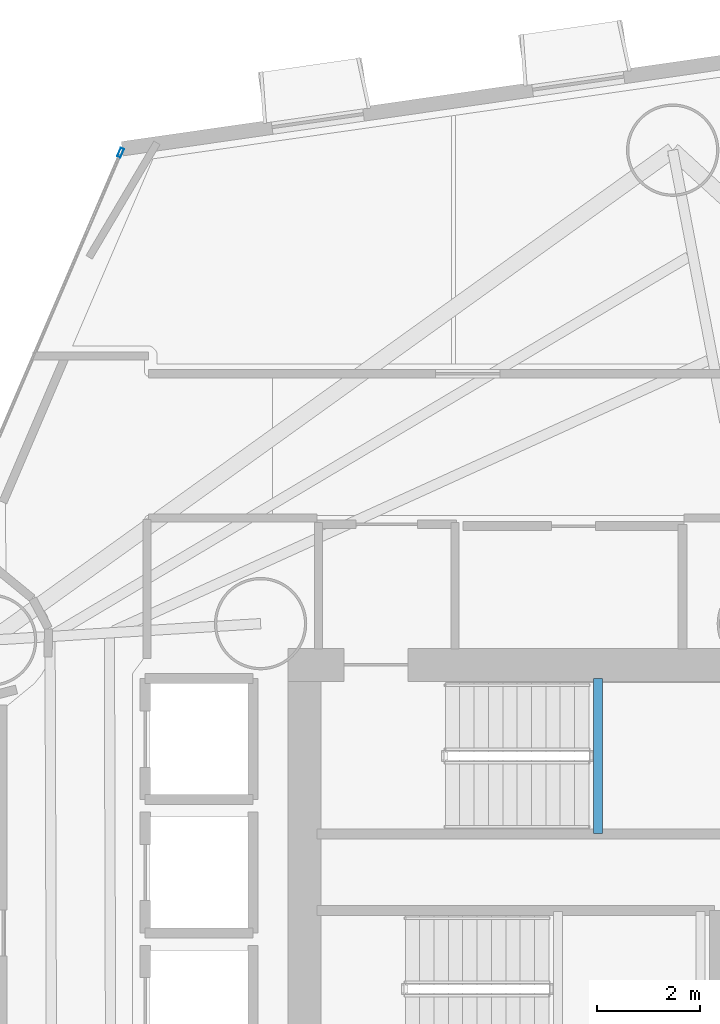
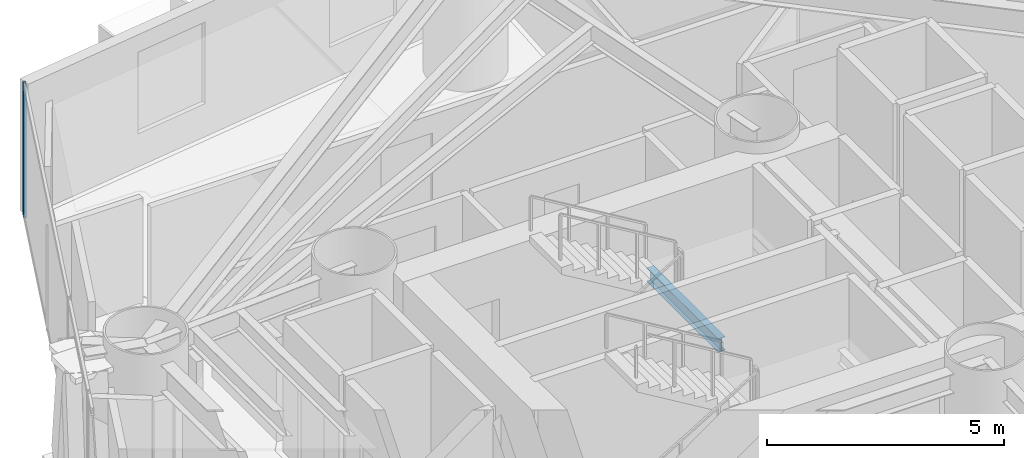
# One storey, part 9 of 22: 1 beam, 1 member, 1 element without a shape of its own.
"""IFC4 building model written with IfcOpenShell, lengths in metres."""

from ifc_helpers import new_model, si_unit, direction, frame, origin, origin_2d, place, context, subcontext, project, spatial, hollow_rectangle, i_section, extrude, material, layer, layer_set, material_profile, profile_set, type_object, element, aggregate, save


model = new_model("IFC4")

# Units and contexts
model_context = context("Model", 3, precision=1e-05, world=origin(), true_north=direction((0.0, 1.0)))
body_context = subcontext(model_context, "Body", "Model", "MODEL_VIEW")
ifc_project = project(units=[si_unit("LENGTHUNIT", "METRE"), si_unit("AREAUNIT", "SQUARE_METRE"), si_unit("VOLUMEUNIT", "CUBIC_METRE"), si_unit("PLANEANGLEUNIT", "RADIAN"), si_unit("MASSUNIT", "GRAM", prefix="KILO")], contexts=[model_context])

# Site, building, storey
site_placement = place(None, origin())
site = spatial("IfcSite", under=ifc_project, at=site_placement, CompositionType="ELEMENT")
building_placement = place(site_placement, origin())
building = spatial("IfcBuilding", under=site, at=building_placement, Name="Qianvela Tower", CompositionType="ELEMENT")
storey_placement = place(building_placement, frame((0.0, 0.0, 44.199951171875)))
storey = spatial("IfcBuildingStorey", under=building, at=storey_placement, Name="L10", CompositionType="ELEMENT", Elevation=44.199951171875)

# Beam
ifc_material_1 = material(Name="Steel Q355B", Category="steel")
ifc_material_profile_1 = material_profile(ifc_material_1, i_section(OverallWidth=0.175048828125, OverallDepth=0.35009765625, WebThickness=0.007080078125, FlangeThickness=0.010986328125, at=origin_2d()), Name="HN350x175x7x11")
ifc_profile_set_1 = profile_set([ifc_material_profile_1], Name="Steel Q355B")
beam_type = type_object("IfcBeamType", Name="BM-HN350-JOIST", PredefinedType="JOIST", material=ifc_profile_set_1)
beam_placement = place(storey_placement, frame((35.179931640625, 29.4599609375, 1.47509765625), z_axis=(0.0, 1.0, 0.0), x_axis=(-1.0, 0.0, 0.0)))
element("IfcBeam", 1, at=beam_placement, inside=storey, type_object=beam_type, Name="L10 Stair ST-1 Landing Support Beam 1.1", PredefinedType="JOIST", context=body_context, shape_type="SweptSolid", body=[
    extrude(i_section(OverallWidth=0.175048828125, OverallDepth=0.35009765625, WebThickness=0.007080078125, FlangeThickness=0.010986328125, at=origin_2d()), origin(), (0.0, 0.0, 1.0), 3.02001953125),
])

# Curtain wall, member
ifc_material_2 = material(Name="Anodised Architectural Aluminium and Low-E Glass", Category="aluminium")
ifc_layer = layer(ifc_material_2, 0.179931640625)
ifc_layer_set = layer_set([ifc_layer], Name="Anodised Architectural Aluminium and Low-E Glass")
curtain_wall_type = type_object("IfcCurtainWallType", Name="CW-COLIV-Z12", PredefinedType="USERDEFINED", material=ifc_layer_set)
curtain_wall_placement = place(storey_placement, origin())
curtain_wall = element("IfcCurtainWall", 2, at=curtain_wall_placement, inside=storey, type_object=curtain_wall_type, Name="L10 CW-COLIV-Z12 Curtain Wall 04A", ObjectType="CURTAIN_WALL_SYSTEM", PredefinedType="USERDEFINED")
ifc_material_3 = material(Name="Anodised Architectural Aluminium 6063-T6", Category="aluminium")
ifc_material_profile_2 = material_profile(ifc_material_3, hollow_rectangle(XDim=0.070068359375, YDim=0.179931640625, WallThickness=0.0048828125, at=origin_2d()), Name="ALU-MULL-70x180")
ifc_profile_set_2 = profile_set([ifc_material_profile_2], Name="Anodised Architectural Aluminium 6063-T6")
member_type = type_object("IfcMemberType", Name="CW-COLIV-Z12-MULL", PredefinedType="MULLION", material=ifc_profile_set_2)
member_placement = place(storey_placement, frame((25.871337890625, 42.728271484375, 0.0), z_axis=(0.0, 0.0, 1.0), x_axis=(0.919134710585, -0.393943376385, 0.0)))
member = element("IfcMember", 3, at=member_placement, type_object=member_type, Name="CW-3 mullion 1", PredefinedType="MULLION", context=body_context, shape_type="SweptSolid", body=[
    extrude(hollow_rectangle(XDim=0.070068359375, YDim=0.179931640625, WallThickness=0.0048828125, at=origin_2d()), origin(), (0.0, 0.0, 1.0), 3.400146484375),
])
aggregate(curtain_wall, [member])

save(model, "model.ifc")
